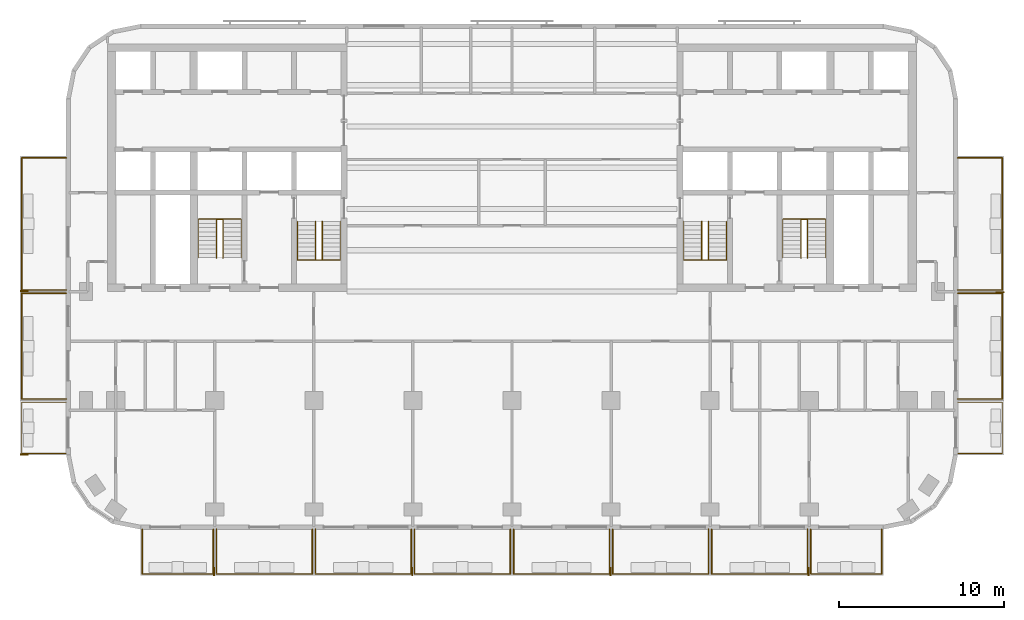
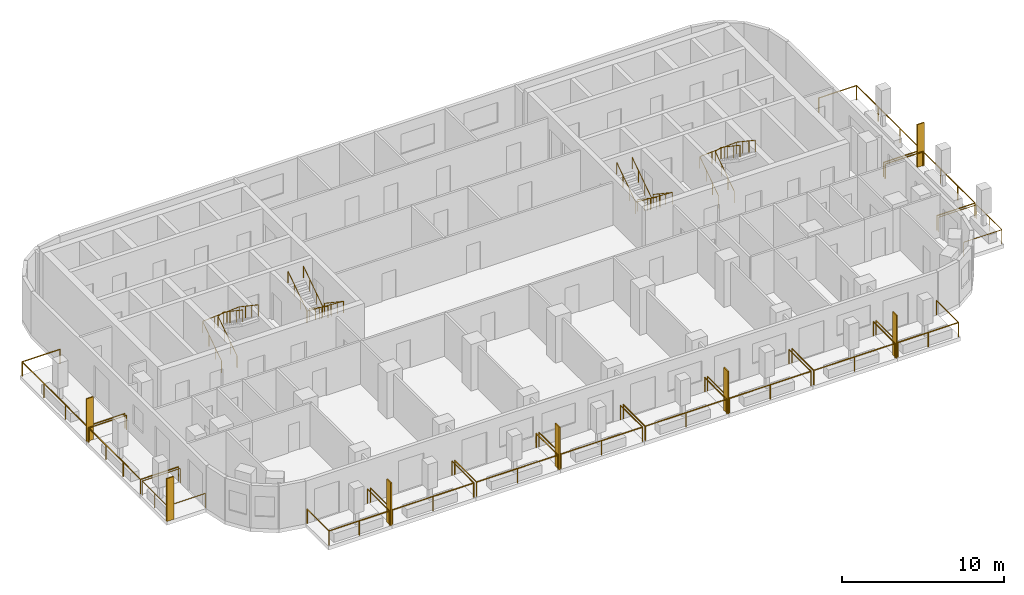
# One storey, part 9 of 11: 22 railings, 7 shading devices.
"""IFC4 building model written with IfcOpenShell, lengths in metres."""

from ifc_helpers import new_model, si_unit, direction, frame, origin, origin_2d, place, context, subcontext, project, spatial, rectangle, circle, extrude, material, layer, layer_set, type_object, element, save


model = new_model("IFC4")

# Units and contexts
model_context = context("Model", 3, precision=1e-05, world=origin(), true_north=direction((0.0, 1.0)))
body_context = subcontext(model_context, "Body", "Model", "MODEL_VIEW")
ifc_project = project(units=[si_unit("LENGTHUNIT", "METRE"), si_unit("AREAUNIT", "SQUARE_METRE"), si_unit("VOLUMEUNIT", "CUBIC_METRE"), si_unit("PLANEANGLEUNIT", "RADIAN"), si_unit("MASSUNIT", "GRAM", prefix="KILO")], contexts=[model_context])

# Site, building, storey
site_placement = place(None, origin())
site = spatial("IfcSite", under=ifc_project, at=site_placement, CompositionType="ELEMENT")
building_placement = place(site_placement, origin())
building = spatial("IfcBuilding", under=site, at=building_placement, Name="Torana Hotel and Residences", CompositionType="ELEMENT")
storey_placement = place(building_placement, frame((0.0, 0.0, 194.10009765625)))
storey = spatial("IfcBuildingStorey", under=building, at=storey_placement, Name="L50", CompositionType="ELEMENT", Elevation=194.10009765625)

# Shading devices
ifc_material_1 = material(Name="Black powder coated aluminium", Category="aluminium")
ifc_layer = layer(ifc_material_1, 0.080078125)
ifc_layer_set = layer_set([ifc_layer], Name="FN1 VERTICAL FIN 500x80")
shading_device_type = type_object("IfcShadingDeviceType", Name="FN1 VERTICAL FIN 500x80", PredefinedType="USERDEFINED", material=ifc_layer_set)
for number, where, z_axis, x_axis, name in (
    (1, (-18.0400390625, -31.949951171875, 0.0), (0.0, 0.0, 1.0), (-1.0, 0.0, 0.0), "Fin 01"),
    (2, (-6.0400390625, -31.949951171875, 0.0), (0.0, 0.0, 1.0), (-1.0, 0.0, 0.0), "Fin 03"),
    (3, (5.9599609375, -31.949951171875, 0.0), (0.0, 0.0, 1.0), (-1.0, 0.0, 0.0), "Fin 05"),
    (4, (17.9599609375, -31.949951171875, 0.0), (0.0, 0.0, 1.0), (-1.0, 0.0, 0.0), "Fin 07"),
    (5, (-29.550048828125, -24.860107421875, 0.0), (0.0, 0.0, 1.0), (0.0, 1.0, 0.0), "Fin 09"),
    (6, (-29.550048828125, -14.9599609375, 0.0), (0.0, 0.0, 1.0), (0.0, 1.0, 0.0), "Fin 11"),
    (7, (29.550048828125, -15.0400390625, 0.0), (0.0, 0.0, 1.0), (0.0, -1.0, 0.0), "Fin 13"),
):
    element("IfcShadingDevice", number, at=place(storey_placement, frame(where, z_axis=z_axis, x_axis=x_axis)), inside=storey, type_object=shading_device_type, Name=name, ObjectType="FIN", PredefinedType="USERDEFINED", context=body_context, shape_type="SweptSolid", body=[
        extrude(rectangle(XDim=0.080078125, YDim=0.5, at=origin_2d()), origin(), (0.0, 0.0, 1.0), 3.219970703125),
    ])

# Railings
ifc_material_2 = material(Name="Laminated glass balustrade with black handrail", Category="glass")
railing_type_1 = type_object("IfcRailingType", Name="GR1 BALCONY GUARD 1100 GLASS", PredefinedType="GUARDRAIL", material=ifc_material_2)
railing_1_placement = place(storey_placement, frame((-18.10009765625, -29.39990234375, 0.0)))
element("IfcRailing", 8, at=railing_1_placement, inside=storey, type_object=railing_type_1, Name="Balcony guard 01", PredefinedType="GUARDRAIL", context=body_context, shape_type="SweptSolid", body=[
    extrude(circle(Radius=0.02392578125, at=origin_2d()), frame((0.0, 0.0, 1.076171875), z_axis=(0.0, -1.0, 0.0), x_axis=(1.0, 0.0, 0.0)), (0.0, 0.0, 1.0), 2.7001953125),
    extrude(circle(Radius=0.02392578125, at=origin_2d()), frame((0.0, -2.7001953125, 1.076171875), z_axis=(-1.0, 0.0, 0.0), x_axis=(0.0, -1.0, 0.0)), (0.0, 0.0, 1.0), 4.2998046875),
    extrude(circle(Radius=0.02392578125, at=origin_2d()), frame((-4.2998046875, -2.7001953125, 1.076171875), z_axis=(0.0, 1.0, 0.0), x_axis=(-1.0, 0.0, 0.0)), (0.0, 0.0, 1.0), 2.7001953125),
    extrude(circle(Radius=0.02099609375, at=origin_2d()), origin(), (0.0, 0.0, 1.0), 1.052001953125),
    extrude(circle(Radius=0.02099609375, at=origin_2d()), frame((0.0, -2.7001953125, 0.0)), (0.0, 0.0, 1.0), 1.052001953125),
    extrude(circle(Radius=0.02099609375, at=origin_2d()), frame((-2.14990234375, -2.7001953125, 0.0)), (0.0, 0.0, 1.0), 1.052001953125),
    extrude(circle(Radius=0.02099609375, at=origin_2d()), frame((-4.2998046875, -2.7001953125, 0.0)), (0.0, 0.0, 1.0), 1.052001953125),
    extrude(circle(Radius=0.02099609375, at=origin_2d()), frame((-4.2998046875, 0.0, 0.0)), (0.0, 0.0, 1.0), 1.052001953125),
])
for number, where, name in (
    (9, (-12.10009765625, -29.39990234375, 0.0), "Balcony guard 02"),
    (10, (-6.10009765625, -29.39990234375, 0.0), "Balcony guard 03"),
    (11, (-0.10009765625, -29.39990234375, 0.0), "Balcony guard 04"),
    (12, (5.89990234375, -29.39990234375, 0.0), "Balcony guard 05"),
    (13, (11.89990234375, -29.39990234375, 0.0), "Balcony guard 06"),
    (14, (17.89990234375, -29.39990234375, 0.0), "Balcony guard 07"),
):
    element("IfcRailing", number, at=place(storey_placement, frame(where)), inside=storey, type_object=railing_type_1, Name=name, PredefinedType="GUARDRAIL", context=body_context, shape_type="SweptSolid", body=[
        extrude(circle(Radius=0.02392578125, at=origin_2d()), frame((0.0, 0.0, 1.076171875), z_axis=(0.0, -1.0, 0.0), x_axis=(1.0, 0.0, 0.0)), (0.0, 0.0, 1.0), 2.7001953125),
        extrude(circle(Radius=0.02392578125, at=origin_2d()), frame((0.0, -2.7001953125, 1.076171875), z_axis=(-1.0, 0.0, 0.0), x_axis=(0.0, -1.0, 0.0)), (0.0, 0.0, 1.0), 5.7998046875),
        extrude(circle(Radius=0.02392578125, at=origin_2d()), frame((-5.7998046875, -2.7001953125, 1.076171875), z_axis=(0.0, 1.0, 0.0), x_axis=(-1.0, 0.0, 0.0)), (0.0, 0.0, 1.0), 2.7001953125),
        extrude(circle(Radius=0.02099609375, at=origin_2d()), origin(), (0.0, 0.0, 1.0), 1.052001953125),
        extrude(circle(Radius=0.02099609375, at=origin_2d()), frame((0.0, -2.7001953125, 0.0)), (0.0, 0.0, 1.0), 1.052001953125),
        extrude(circle(Radius=0.02099609375, at=origin_2d()), frame((-2.89990234375, -2.7001953125, 0.0)), (0.0, 0.0, 1.0), 1.052001953125),
        extrude(circle(Radius=0.02099609375, at=origin_2d()), frame((-5.7998046875, -2.7001953125, 0.0)), (0.0, 0.0, 1.0), 1.052001953125),
        extrude(circle(Radius=0.02099609375, at=origin_2d()), frame((-5.7998046875, 0.0, 0.0)), (0.0, 0.0, 1.0), 1.052001953125),
    ])
railing_2_placement = place(storey_placement, frame((22.39990234375, -29.39990234375, 0.0)))
element("IfcRailing", 15, at=railing_2_placement, inside=storey, type_object=railing_type_1, Name="Balcony guard 08", PredefinedType="GUARDRAIL", context=body_context, shape_type="SweptSolid", body=[
    extrude(circle(Radius=0.02392578125, at=origin_2d()), frame((0.0, 0.0, 1.076171875), z_axis=(0.0, -1.0, 0.0), x_axis=(1.0, 0.0, 0.0)), (0.0, 0.0, 1.0), 2.7001953125),
    extrude(circle(Radius=0.02392578125, at=origin_2d()), frame((0.0, -2.7001953125, 1.076171875), z_axis=(-1.0, 0.0, 0.0), x_axis=(0.0, -1.0, 0.0)), (0.0, 0.0, 1.0), 4.2998046875),
    extrude(circle(Radius=0.02392578125, at=origin_2d()), frame((-4.2998046875, -2.7001953125, 1.076171875), z_axis=(0.0, 1.0, 0.0), x_axis=(-1.0, 0.0, 0.0)), (0.0, 0.0, 1.0), 2.7001953125),
    extrude(circle(Radius=0.02099609375, at=origin_2d()), origin(), (0.0, 0.0, 1.0), 1.052001953125),
    extrude(circle(Radius=0.02099609375, at=origin_2d()), frame((0.0, -2.7001953125, 0.0)), (0.0, 0.0, 1.0), 1.052001953125),
    extrude(circle(Radius=0.02099609375, at=origin_2d()), frame((-2.14990234375, -2.7001953125, 0.0)), (0.0, 0.0, 1.0), 1.052001953125),
    extrude(circle(Radius=0.02099609375, at=origin_2d()), frame((-4.2998046875, -2.7001953125, 0.0)), (0.0, 0.0, 1.0), 1.052001953125),
    extrude(circle(Radius=0.02099609375, at=origin_2d()), frame((-4.2998046875, 0.0, 0.0)), (0.0, 0.0, 1.0), 1.052001953125),
])
railing_3_placement = place(storey_placement, frame((-27.0, -24.800048828125, 0.0)))
element("IfcRailing", 16, at=railing_3_placement, inside=storey, type_object=railing_type_1, Name="Balcony guard 09", PredefinedType="GUARDRAIL", context=body_context, shape_type="SweptSolid", body=[
    extrude(circle(Radius=0.02392578125, at=origin_2d()), frame((0.0, 0.0, 1.076171875), z_axis=(-1.0, 0.0, 0.0), x_axis=(0.0, -1.0, 0.0)), (0.0, 0.0, 1.0), 2.699951171875),
    extrude(circle(Radius=0.02392578125, at=origin_2d()), frame((-2.699951171875, 0.0, 1.076171875), z_axis=(0.0, 1.0, 0.0), x_axis=(-1.0, 0.0, 0.0)), (0.0, 0.0, 1.0), 3.10009765625),
    extrude(circle(Radius=0.02392578125, at=origin_2d()), frame((-2.699951171875, 3.10009765625, 1.076171875), z_axis=(1.0, 0.0, 0.0), x_axis=(0.0, 1.0, 0.0)), (0.0, 0.0, 1.0), 2.699951171875),
    extrude(circle(Radius=0.02099609375, at=origin_2d()), origin(), (0.0, 0.0, 1.0), 1.052001953125),
    extrude(circle(Radius=0.02099609375, at=origin_2d()), frame((-2.699951171875, 0.0, 0.0)), (0.0, 0.0, 1.0), 1.052001953125),
    extrude(circle(Radius=0.02099609375, at=origin_2d()), frame((-2.699951171875, 1.550048828125, 0.0)), (0.0, 0.0, 1.0), 1.052001953125),
    extrude(circle(Radius=0.02099609375, at=origin_2d()), frame((-2.699951171875, 3.10009765625, 0.0)), (0.0, 0.0, 1.0), 1.052001953125),
    extrude(circle(Radius=0.02099609375, at=origin_2d()), frame((0.0, 3.10009765625, 0.0)), (0.0, 0.0, 1.0), 1.052001953125),
])
railing_4_placement = place(storey_placement, frame((-27.0, -21.5, 0.0)))
element("IfcRailing", 17, at=railing_4_placement, inside=storey, type_object=railing_type_1, Name="Balcony guard 10", PredefinedType="GUARDRAIL", context=body_context, shape_type="SweptSolid", body=[
    extrude(circle(Radius=0.02392578125, at=origin_2d()), frame((0.0, 0.0, 1.076171875), z_axis=(-1.0, 0.0, 0.0), x_axis=(0.0, -1.0, 0.0)), (0.0, 0.0, 1.0), 2.699951171875),
    extrude(circle(Radius=0.02392578125, at=origin_2d()), frame((-2.699951171875, 0.0, 1.076171875), z_axis=(0.0, 1.0, 0.0), x_axis=(-1.0, 0.0, 0.0)), (0.0, 0.0, 1.0), 6.39990234375),
    extrude(circle(Radius=0.02392578125, at=origin_2d()), frame((-2.699951171875, 6.39990234375, 1.076171875), z_axis=(1.0, 0.0, 0.0), x_axis=(0.0, 1.0, 0.0)), (0.0, 0.0, 1.0), 2.699951171875),
    extrude(circle(Radius=0.02099609375, at=origin_2d()), origin(), (0.0, 0.0, 1.0), 1.052001953125),
    extrude(circle(Radius=0.02099609375, at=origin_2d()), frame((-2.699951171875, 0.0, 0.0)), (0.0, 0.0, 1.0), 1.052001953125),
    extrude(circle(Radius=0.02099609375, at=origin_2d()), frame((-2.699951171875, 2.13330078125, 0.0)), (0.0, 0.0, 1.0), 1.052001953125),
    extrude(circle(Radius=0.02099609375, at=origin_2d()), frame((-2.699951171875, 4.2666015625, 0.0)), (0.0, 0.0, 1.0), 1.052001953125),
    extrude(circle(Radius=0.02099609375, at=origin_2d()), frame((-2.699951171875, 6.39990234375, 0.0)), (0.0, 0.0, 1.0), 1.052001953125),
    extrude(circle(Radius=0.02099609375, at=origin_2d()), frame((0.0, 6.39990234375, 0.0)), (0.0, 0.0, 1.0), 1.052001953125),
])
railing_5_placement = place(storey_placement, frame((-27.0, -14.89990234375, 0.0)))
element("IfcRailing", 18, at=railing_5_placement, inside=storey, type_object=railing_type_1, Name="Balcony guard 11", PredefinedType="GUARDRAIL", context=body_context, shape_type="SweptSolid", body=[
    extrude(circle(Radius=0.02392578125, at=origin_2d()), frame((0.0, 0.0, 1.076171875), z_axis=(-1.0, 0.0, 0.0), x_axis=(0.0, -1.0, 0.0)), (0.0, 0.0, 1.0), 2.699951171875),
    extrude(circle(Radius=0.02392578125, at=origin_2d()), frame((-2.699951171875, 0.0, 1.076171875), z_axis=(0.0, 1.0, 0.0), x_axis=(-1.0, 0.0, 0.0)), (0.0, 0.0, 1.0), 8.0),
    extrude(circle(Radius=0.02392578125, at=origin_2d()), frame((-2.699951171875, 8.0, 1.076171875), z_axis=(1.0, 0.0, 0.0), x_axis=(0.0, 1.0, 0.0)), (0.0, 0.0, 1.0), 2.699951171875),
    extrude(circle(Radius=0.02099609375, at=origin_2d()), origin(), (0.0, 0.0, 1.0), 1.052001953125),
    extrude(circle(Radius=0.02099609375, at=origin_2d()), frame((-2.699951171875, 0.0, 0.0)), (0.0, 0.0, 1.0), 1.052001953125),
    extrude(circle(Radius=0.02099609375, at=origin_2d()), frame((-2.699951171875, 2.666748046875, 0.0)), (0.0, 0.0, 1.0), 1.052001953125),
    extrude(circle(Radius=0.02099609375, at=origin_2d()), frame((-2.699951171875, 5.333251953125, 0.0)), (0.0, 0.0, 1.0), 1.052001953125),
    extrude(circle(Radius=0.02099609375, at=origin_2d()), frame((-2.699951171875, 8.0, 0.0)), (0.0, 0.0, 1.0), 1.052001953125),
    extrude(circle(Radius=0.02099609375, at=origin_2d()), frame((0.0, 8.0, 0.0)), (0.0, 0.0, 1.0), 1.052001953125),
])
railing_6_placement = place(storey_placement, frame((27.0, -21.699951171875, 0.0)))
element("IfcRailing", 19, at=railing_6_placement, inside=storey, type_object=railing_type_1, Name="Balcony guard 12", PredefinedType="GUARDRAIL", context=body_context, shape_type="SweptSolid", body=[
    extrude(circle(Radius=0.02392578125, at=origin_2d()), frame((0.0, 0.0, 1.076171875), z_axis=(1.0, 0.0, 0.0), x_axis=(0.0, 1.0, 0.0)), (0.0, 0.0, 1.0), 2.699951171875),
    extrude(circle(Radius=0.02392578125, at=origin_2d()), frame((2.699951171875, 0.0, 1.076171875), z_axis=(0.0, -1.0, 0.0), x_axis=(1.0, 0.0, 0.0)), (0.0, 0.0, 1.0), 3.10009765625),
    extrude(circle(Radius=0.02392578125, at=origin_2d()), frame((2.699951171875, -3.10009765625, 1.076171875), z_axis=(-1.0, 0.0, 0.0), x_axis=(0.0, -1.0, 0.0)), (0.0, 0.0, 1.0), 2.699951171875),
    extrude(circle(Radius=0.02099609375, at=origin_2d()), origin(), (0.0, 0.0, 1.0), 1.052001953125),
    extrude(circle(Radius=0.02099609375, at=origin_2d()), frame((2.699951171875, 0.0, 0.0)), (0.0, 0.0, 1.0), 1.052001953125),
    extrude(circle(Radius=0.02099609375, at=origin_2d()), frame((2.699951171875, -1.550048828125, 0.0)), (0.0, 0.0, 1.0), 1.052001953125),
    extrude(circle(Radius=0.02099609375, at=origin_2d()), frame((2.699951171875, -3.10009765625, 0.0)), (0.0, 0.0, 1.0), 1.052001953125),
    extrude(circle(Radius=0.02099609375, at=origin_2d()), frame((0.0, -3.10009765625, 0.0)), (0.0, 0.0, 1.0), 1.052001953125),
])
railing_7_placement = place(storey_placement, frame((27.0, -15.10009765625, 0.0)))
element("IfcRailing", 20, at=railing_7_placement, inside=storey, type_object=railing_type_1, Name="Balcony guard 13", PredefinedType="GUARDRAIL", context=body_context, shape_type="SweptSolid", body=[
    extrude(circle(Radius=0.02392578125, at=origin_2d()), frame((0.0, 0.0, 1.076171875), z_axis=(1.0, 0.0, 0.0), x_axis=(0.0, 1.0, 0.0)), (0.0, 0.0, 1.0), 2.699951171875),
    extrude(circle(Radius=0.02392578125, at=origin_2d()), frame((2.699951171875, 0.0, 1.076171875), z_axis=(0.0, -1.0, 0.0), x_axis=(1.0, 0.0, 0.0)), (0.0, 0.0, 1.0), 6.39990234375),
    extrude(circle(Radius=0.02392578125, at=origin_2d()), frame((2.699951171875, -6.39990234375, 1.076171875), z_axis=(-1.0, 0.0, 0.0), x_axis=(0.0, -1.0, 0.0)), (0.0, 0.0, 1.0), 2.699951171875),
    extrude(circle(Radius=0.02099609375, at=origin_2d()), origin(), (0.0, 0.0, 1.0), 1.052001953125),
    extrude(circle(Radius=0.02099609375, at=origin_2d()), frame((2.699951171875, 0.0, 0.0)), (0.0, 0.0, 1.0), 1.052001953125),
    extrude(circle(Radius=0.02099609375, at=origin_2d()), frame((2.699951171875, -2.13330078125, 0.0)), (0.0, 0.0, 1.0), 1.052001953125),
    extrude(circle(Radius=0.02099609375, at=origin_2d()), frame((2.699951171875, -4.2666015625, 0.0)), (0.0, 0.0, 1.0), 1.052001953125),
    extrude(circle(Radius=0.02099609375, at=origin_2d()), frame((2.699951171875, -6.39990234375, 0.0)), (0.0, 0.0, 1.0), 1.052001953125),
    extrude(circle(Radius=0.02099609375, at=origin_2d()), frame((0.0, -6.39990234375, 0.0)), (0.0, 0.0, 1.0), 1.052001953125),
])
railing_8_placement = place(storey_placement, frame((27.0, -6.89990234375, 0.0)))
element("IfcRailing", 21, at=railing_8_placement, inside=storey, type_object=railing_type_1, Name="Balcony guard 14", PredefinedType="GUARDRAIL", context=body_context, shape_type="SweptSolid", body=[
    extrude(circle(Radius=0.02392578125, at=origin_2d()), frame((0.0, 0.0, 1.076171875), z_axis=(1.0, 0.0, 0.0), x_axis=(0.0, 1.0, 0.0)), (0.0, 0.0, 1.0), 2.699951171875),
    extrude(circle(Radius=0.02392578125, at=origin_2d()), frame((2.699951171875, 0.0, 1.076171875), z_axis=(0.0, -1.0, 0.0), x_axis=(1.0, 0.0, 0.0)), (0.0, 0.0, 1.0), 8.0),
    extrude(circle(Radius=0.02392578125, at=origin_2d()), frame((2.699951171875, -8.0, 1.076171875), z_axis=(-1.0, 0.0, 0.0), x_axis=(0.0, -1.0, 0.0)), (0.0, 0.0, 1.0), 2.699951171875),
    extrude(circle(Radius=0.02099609375, at=origin_2d()), origin(), (0.0, 0.0, 1.0), 1.052001953125),
    extrude(circle(Radius=0.02099609375, at=origin_2d()), frame((2.699951171875, 0.0, 0.0)), (0.0, 0.0, 1.0), 1.052001953125),
    extrude(circle(Radius=0.02099609375, at=origin_2d()), frame((2.699951171875, -2.666748046875, 0.0)), (0.0, 0.0, 1.0), 1.052001953125),
    extrude(circle(Radius=0.02099609375, at=origin_2d()), frame((2.699951171875, -5.333251953125, 0.0)), (0.0, 0.0, 1.0), 1.052001953125),
    extrude(circle(Radius=0.02099609375, at=origin_2d()), frame((2.699951171875, -8.0, 0.0)), (0.0, 0.0, 1.0), 1.052001953125),
    extrude(circle(Radius=0.02099609375, at=origin_2d()), frame((0.0, -8.0, 0.0)), (0.0, 0.0, 1.0), 1.052001953125),
])
ifc_material_3 = material(Name="Stainless steel 316", Category="steel")
railing_type_2 = type_object("IfcRailingType", Name="STAIR HANDRAIL HR1 900", PredefinedType="HANDRAIL", material=ifc_material_3)
railing_9_placement = place(storey_placement, frame((-10.39990234375, -10.75, 0.1748046875)))
element("IfcRailing", 22, at=railing_9_placement, inside=storey, type_object=railing_type_2, Name="Handrail ST1 L50 O1", PredefinedType="HANDRAIL", context=body_context, shape_type="SweptSolid", body=[
    extrude(circle(Radius=0.02392578125, at=origin_2d()), frame((0.0, 0.0, 0.8759765625), z_axis=(0.0, -0.829565388462, 0.558409586474), x_axis=(1.0, 0.0, 0.0)), (0.0, 0.0, 1.0), 2.82080078125),
    extrude(circle(Radius=0.02392578125, at=origin_2d()), frame((0.0, -2.340087890625, 2.451171875), z_axis=(-0.997747692642, 0.0, 0.067078624219), x_axis=(0.0, -1.0, 0.0)), (0.0, 0.0, 1.0), 2.60595703125),
    extrude(circle(Radius=0.02392578125, at=origin_2d()), frame((-2.60009765625, -2.340087890625, 2.6259765625), z_axis=(0.0, 0.829565388462, 0.558409586474), x_axis=(-1.0, 0.0, 0.0)), (0.0, 0.0, 1.0), 2.82080078125),
    extrude(circle(Radius=0.02099609375, at=origin_2d()), origin(), (0.0, 0.0, 1.0), 0.851806640625),
    extrude(circle(Radius=0.02099609375, at=origin_2d()), frame((0.0, -0.780029296875, 0.525146484375)), (0.0, 0.0, 1.0), 0.851806640625),
    extrude(circle(Radius=0.02099609375, at=origin_2d()), frame((0.0, -1.56005859375, 1.050048828125)), (0.0, 0.0, 1.0), 0.851806640625),
    extrude(circle(Radius=0.02099609375, at=origin_2d()), frame((0.0, -2.340087890625, 1.5751953125)), (0.0, 0.0, 1.0), 0.851806640625),
    extrude(circle(Radius=0.02099609375, at=origin_2d()), frame((-0.86669921875, -2.340087890625, 1.633544921875)), (0.0, 0.0, 1.0), 0.851806640625),
    extrude(circle(Radius=0.02099609375, at=origin_2d()), frame((-1.7333984375, -2.340087890625, 1.691650390625)), (0.0, 0.0, 1.0), 0.851806640625),
    extrude(circle(Radius=0.02099609375, at=origin_2d()), frame((-2.60009765625, -2.340087890625, 1.75)), (0.0, 0.0, 1.0), 0.851806640625),
    extrude(circle(Radius=0.02099609375, at=origin_2d()), frame((-2.60009765625, -1.56005859375, 2.275146484375)), (0.0, 0.0, 1.0), 0.851806640625),
    extrude(circle(Radius=0.02099609375, at=origin_2d()), frame((-2.60009765625, -0.780029296875, 2.800048828125)), (0.0, 0.0, 1.0), 0.851806640625),
    extrude(circle(Radius=0.02099609375, at=origin_2d()), frame((-2.60009765625, 0.0, 3.3251953125)), (0.0, 0.0, 1.0), 0.851806640625),
])
railing_10_placement = place(storey_placement, frame((-11.5, -10.75, 0.1748046875)))
element("IfcRailing", 23, at=railing_10_placement, inside=storey, type_object=railing_type_2, Name="Handrail ST1 L50 I1", PredefinedType="HANDRAIL", context=body_context, shape_type="SweptSolid", body=[
    extrude(circle(Radius=0.02392578125, at=origin_2d()), frame((0.0, 0.0, 0.8759765625), z_axis=(0.0, -0.829565388462, 0.558409586474), x_axis=(1.0, 0.0, 0.0)), (0.0, 0.0, 1.0), 2.82080078125),
    extrude(circle(Radius=0.02392578125, at=origin_2d()), frame((0.0, -2.340087890625, 2.451171875), z_axis=(-0.916285673175, 0.0, 0.400525361412), x_axis=(0.0, -1.0, 0.0)), (0.0, 0.0, 1.0), 0.4365234375),
    extrude(circle(Radius=0.02392578125, at=origin_2d()), frame((-0.39990234375, -2.340087890625, 2.6259765625), z_axis=(0.0, 0.829565388462, 0.558409586474), x_axis=(-1.0, 0.0, 0.0)), (0.0, 0.0, 1.0), 2.82080078125),
    extrude(circle(Radius=0.02099609375, at=origin_2d()), origin(), (0.0, 0.0, 1.0), 0.851806640625),
    extrude(circle(Radius=0.02099609375, at=origin_2d()), frame((0.0, -0.780029296875, 0.525146484375)), (0.0, 0.0, 1.0), 0.851806640625),
    extrude(circle(Radius=0.02099609375, at=origin_2d()), frame((0.0, -1.56005859375, 1.050048828125)), (0.0, 0.0, 1.0), 0.851806640625),
    extrude(circle(Radius=0.02099609375, at=origin_2d()), frame((0.0, -2.340087890625, 1.5751953125)), (0.0, 0.0, 1.0), 0.851806640625),
    extrude(circle(Radius=0.02099609375, at=origin_2d()), frame((-0.39990234375, -2.340087890625, 1.75)), (0.0, 0.0, 1.0), 0.851806640625),
    extrude(circle(Radius=0.02099609375, at=origin_2d()), frame((-0.39990234375, -1.56005859375, 2.275146484375)), (0.0, 0.0, 1.0), 0.851806640625),
    extrude(circle(Radius=0.02099609375, at=origin_2d()), frame((-0.39990234375, -0.780029296875, 2.800048828125)), (0.0, 0.0, 1.0), 0.851806640625),
    extrude(circle(Radius=0.02099609375, at=origin_2d()), frame((-0.39990234375, 0.0, 3.3251953125)), (0.0, 0.0, 1.0), 0.851806640625),
])
railing_11_placement = place(storey_placement, frame((-19.0, -12.949951171875, 0.1748046875)))
element("IfcRailing", 24, at=railing_11_placement, inside=storey, type_object=railing_type_2, Name="Handrail ST2 L50 O1", PredefinedType="HANDRAIL", context=body_context, shape_type="SweptSolid", body=[
    extrude(circle(Radius=0.02392578125, at=origin_2d()), frame((0.0, 0.0, 0.8759765625), z_axis=(0.0, 0.829538397957, 0.558449681095), x_axis=(-1.0, 0.0, 0.0)), (0.0, 0.0, 1.0), 2.820556640625),
    extrude(circle(Radius=0.02392578125, at=origin_2d()), frame((0.0, 2.33984375, 2.451171875), z_axis=(0.997747692642, 0.0, 0.067078624219), x_axis=(0.0, 1.0, 0.0)), (0.0, 0.0, 1.0), 2.60595703125),
    extrude(circle(Radius=0.02392578125, at=origin_2d()), frame((2.60009765625, 2.33984375, 2.6259765625), z_axis=(0.0, -0.829538397957, 0.558449681095), x_axis=(1.0, 0.0, 0.0)), (0.0, 0.0, 1.0), 2.820556640625),
    extrude(circle(Radius=0.02099609375, at=origin_2d()), origin(), (0.0, 0.0, 1.0), 0.851806640625),
    extrude(circle(Radius=0.02099609375, at=origin_2d()), frame((0.0, 0.780029296875, 0.525146484375)), (0.0, 0.0, 1.0), 0.851806640625),
    extrude(circle(Radius=0.02099609375, at=origin_2d()), frame((0.0, 1.559814453125, 1.050048828125)), (0.0, 0.0, 1.0), 0.851806640625),
    extrude(circle(Radius=0.02099609375, at=origin_2d()), frame((0.0, 2.33984375, 1.5751953125)), (0.0, 0.0, 1.0), 0.851806640625),
    extrude(circle(Radius=0.02099609375, at=origin_2d()), frame((0.86669921875, 2.33984375, 1.633544921875)), (0.0, 0.0, 1.0), 0.851806640625),
    extrude(circle(Radius=0.02099609375, at=origin_2d()), frame((1.7333984375, 2.33984375, 1.691650390625)), (0.0, 0.0, 1.0), 0.851806640625),
    extrude(circle(Radius=0.02099609375, at=origin_2d()), frame((2.60009765625, 2.33984375, 1.75)), (0.0, 0.0, 1.0), 0.851806640625),
    extrude(circle(Radius=0.02099609375, at=origin_2d()), frame((2.60009765625, 1.559814453125, 2.275146484375)), (0.0, 0.0, 1.0), 0.851806640625),
    extrude(circle(Radius=0.02099609375, at=origin_2d()), frame((2.60009765625, 0.780029296875, 2.800048828125)), (0.0, 0.0, 1.0), 0.851806640625),
    extrude(circle(Radius=0.02099609375, at=origin_2d()), frame((2.60009765625, 0.0, 3.3251953125)), (0.0, 0.0, 1.0), 0.851806640625),
])
railing_12_placement = place(storey_placement, frame((-17.89990234375, -12.949951171875, 0.1748046875)))
element("IfcRailing", 25, at=railing_12_placement, inside=storey, type_object=railing_type_2, Name="Handrail ST2 L50 I1", PredefinedType="HANDRAIL", context=body_context, shape_type="SweptSolid", body=[
    extrude(circle(Radius=0.02392578125, at=origin_2d()), frame((0.0, 0.0, 0.8759765625), z_axis=(0.0, 0.829538397957, 0.558449681095), x_axis=(-1.0, 0.0, 0.0)), (0.0, 0.0, 1.0), 2.820556640625),
    extrude(circle(Radius=0.02392578125, at=origin_2d()), frame((0.0, 2.33984375, 2.451171875), z_axis=(0.916285673175, 0.0, 0.400525361412), x_axis=(0.0, 1.0, 0.0)), (0.0, 0.0, 1.0), 0.4365234375),
    extrude(circle(Radius=0.02392578125, at=origin_2d()), frame((0.39990234375, 2.33984375, 2.6259765625), z_axis=(0.0, -0.829538397957, 0.558449681095), x_axis=(1.0, 0.0, 0.0)), (0.0, 0.0, 1.0), 2.820556640625),
    extrude(circle(Radius=0.02099609375, at=origin_2d()), origin(), (0.0, 0.0, 1.0), 0.851806640625),
    extrude(circle(Radius=0.02099609375, at=origin_2d()), frame((0.0, 0.780029296875, 0.525146484375)), (0.0, 0.0, 1.0), 0.851806640625),
    extrude(circle(Radius=0.02099609375, at=origin_2d()), frame((0.0, 1.559814453125, 1.050048828125)), (0.0, 0.0, 1.0), 0.851806640625),
    extrude(circle(Radius=0.02099609375, at=origin_2d()), frame((0.0, 2.33984375, 1.5751953125)), (0.0, 0.0, 1.0), 0.851806640625),
    extrude(circle(Radius=0.02099609375, at=origin_2d()), frame((0.39990234375, 2.33984375, 1.75)), (0.0, 0.0, 1.0), 0.851806640625),
    extrude(circle(Radius=0.02099609375, at=origin_2d()), frame((0.39990234375, 1.559814453125, 2.275146484375)), (0.0, 0.0, 1.0), 0.851806640625),
    extrude(circle(Radius=0.02099609375, at=origin_2d()), frame((0.39990234375, 0.780029296875, 2.800048828125)), (0.0, 0.0, 1.0), 0.851806640625),
    extrude(circle(Radius=0.02099609375, at=origin_2d()), frame((0.39990234375, 0.0, 3.3251953125)), (0.0, 0.0, 1.0), 0.851806640625),
])
railing_13_placement = place(storey_placement, frame((13.0, -10.75, 0.1748046875)))
element("IfcRailing", 26, at=railing_13_placement, inside=storey, type_object=railing_type_2, Name="Handrail ST3 L50 O1", PredefinedType="HANDRAIL", context=body_context, shape_type="SweptSolid", body=[
    extrude(circle(Radius=0.02392578125, at=origin_2d()), frame((0.0, 0.0, 0.8759765625), z_axis=(0.0, -0.829565388462, 0.558409586474), x_axis=(1.0, 0.0, 0.0)), (0.0, 0.0, 1.0), 2.82080078125),
    extrude(circle(Radius=0.02392578125, at=origin_2d()), frame((0.0, -2.340087890625, 2.451171875), z_axis=(-0.997747692642, 0.0, 0.067078624219), x_axis=(0.0, -1.0, 0.0)), (0.0, 0.0, 1.0), 2.60595703125),
    extrude(circle(Radius=0.02392578125, at=origin_2d()), frame((-2.60009765625, -2.340087890625, 2.6259765625), z_axis=(0.0, 0.829565388462, 0.558409586474), x_axis=(-1.0, 0.0, 0.0)), (0.0, 0.0, 1.0), 2.82080078125),
    extrude(circle(Radius=0.02099609375, at=origin_2d()), origin(), (0.0, 0.0, 1.0), 0.851806640625),
    extrude(circle(Radius=0.02099609375, at=origin_2d()), frame((0.0, -0.780029296875, 0.525146484375)), (0.0, 0.0, 1.0), 0.851806640625),
    extrude(circle(Radius=0.02099609375, at=origin_2d()), frame((0.0, -1.56005859375, 1.050048828125)), (0.0, 0.0, 1.0), 0.851806640625),
    extrude(circle(Radius=0.02099609375, at=origin_2d()), frame((0.0, -2.340087890625, 1.5751953125)), (0.0, 0.0, 1.0), 0.851806640625),
    extrude(circle(Radius=0.02099609375, at=origin_2d()), frame((-0.86669921875, -2.340087890625, 1.633544921875)), (0.0, 0.0, 1.0), 0.851806640625),
    extrude(circle(Radius=0.02099609375, at=origin_2d()), frame((-1.7333984375, -2.340087890625, 1.691650390625)), (0.0, 0.0, 1.0), 0.851806640625),
    extrude(circle(Radius=0.02099609375, at=origin_2d()), frame((-2.60009765625, -2.340087890625, 1.75)), (0.0, 0.0, 1.0), 0.851806640625),
    extrude(circle(Radius=0.02099609375, at=origin_2d()), frame((-2.60009765625, -1.56005859375, 2.275146484375)), (0.0, 0.0, 1.0), 0.851806640625),
    extrude(circle(Radius=0.02099609375, at=origin_2d()), frame((-2.60009765625, -0.780029296875, 2.800048828125)), (0.0, 0.0, 1.0), 0.851806640625),
    extrude(circle(Radius=0.02099609375, at=origin_2d()), frame((-2.60009765625, 0.0, 3.3251953125)), (0.0, 0.0, 1.0), 0.851806640625),
])
railing_14_placement = place(storey_placement, frame((11.89990234375, -10.75, 0.1748046875)))
element("IfcRailing", 27, at=railing_14_placement, inside=storey, type_object=railing_type_2, Name="Handrail ST3 L50 I1", PredefinedType="HANDRAIL", context=body_context, shape_type="SweptSolid", body=[
    extrude(circle(Radius=0.02392578125, at=origin_2d()), frame((0.0, 0.0, 0.8759765625), z_axis=(0.0, -0.829565388462, 0.558409586474), x_axis=(1.0, 0.0, 0.0)), (0.0, 0.0, 1.0), 2.82080078125),
    extrude(circle(Radius=0.02392578125, at=origin_2d()), frame((0.0, -2.340087890625, 2.451171875), z_axis=(-0.916285673175, 0.0, 0.400525361412), x_axis=(0.0, -1.0, 0.0)), (0.0, 0.0, 1.0), 0.4365234375),
    extrude(circle(Radius=0.02392578125, at=origin_2d()), frame((-0.39990234375, -2.340087890625, 2.6259765625), z_axis=(0.0, 0.829565388462, 0.558409586474), x_axis=(-1.0, 0.0, 0.0)), (0.0, 0.0, 1.0), 2.82080078125),
    extrude(circle(Radius=0.02099609375, at=origin_2d()), origin(), (0.0, 0.0, 1.0), 0.851806640625),
    extrude(circle(Radius=0.02099609375, at=origin_2d()), frame((0.0, -0.780029296875, 0.525146484375)), (0.0, 0.0, 1.0), 0.851806640625),
    extrude(circle(Radius=0.02099609375, at=origin_2d()), frame((0.0, -1.56005859375, 1.050048828125)), (0.0, 0.0, 1.0), 0.851806640625),
    extrude(circle(Radius=0.02099609375, at=origin_2d()), frame((0.0, -2.340087890625, 1.5751953125)), (0.0, 0.0, 1.0), 0.851806640625),
    extrude(circle(Radius=0.02099609375, at=origin_2d()), frame((-0.39990234375, -2.340087890625, 1.75)), (0.0, 0.0, 1.0), 0.851806640625),
    extrude(circle(Radius=0.02099609375, at=origin_2d()), frame((-0.39990234375, -1.56005859375, 2.275146484375)), (0.0, 0.0, 1.0), 0.851806640625),
    extrude(circle(Radius=0.02099609375, at=origin_2d()), frame((-0.39990234375, -0.780029296875, 2.800048828125)), (0.0, 0.0, 1.0), 0.851806640625),
    extrude(circle(Radius=0.02099609375, at=origin_2d()), frame((-0.39990234375, 0.0, 3.3251953125)), (0.0, 0.0, 1.0), 0.851806640625),
])
railing_15_placement = place(storey_placement, frame((16.39990234375, -12.949951171875, 0.1748046875)))
element("IfcRailing", 28, at=railing_15_placement, inside=storey, type_object=railing_type_2, Name="Handrail ST4 L50 O1", PredefinedType="HANDRAIL", context=body_context, shape_type="SweptSolid", body=[
    extrude(circle(Radius=0.02392578125, at=origin_2d()), frame((0.0, 0.0, 0.8759765625), z_axis=(0.0, 0.829538397957, 0.558449681095), x_axis=(-1.0, 0.0, 0.0)), (0.0, 0.0, 1.0), 2.820556640625),
    extrude(circle(Radius=0.02392578125, at=origin_2d()), frame((0.0, 2.33984375, 2.451171875), z_axis=(0.997747692642, 0.0, 0.067078624219), x_axis=(0.0, 1.0, 0.0)), (0.0, 0.0, 1.0), 2.60595703125),
    extrude(circle(Radius=0.02392578125, at=origin_2d()), frame((2.60009765625, 2.33984375, 2.6259765625), z_axis=(0.0, -0.829538397957, 0.558449681095), x_axis=(1.0, 0.0, 0.0)), (0.0, 0.0, 1.0), 2.820556640625),
    extrude(circle(Radius=0.02099609375, at=origin_2d()), origin(), (0.0, 0.0, 1.0), 0.851806640625),
    extrude(circle(Radius=0.02099609375, at=origin_2d()), frame((0.0, 0.780029296875, 0.525146484375)), (0.0, 0.0, 1.0), 0.851806640625),
    extrude(circle(Radius=0.02099609375, at=origin_2d()), frame((0.0, 1.559814453125, 1.050048828125)), (0.0, 0.0, 1.0), 0.851806640625),
    extrude(circle(Radius=0.02099609375, at=origin_2d()), frame((0.0, 2.33984375, 1.5751953125)), (0.0, 0.0, 1.0), 0.851806640625),
    extrude(circle(Radius=0.02099609375, at=origin_2d()), frame((0.86669921875, 2.33984375, 1.633544921875)), (0.0, 0.0, 1.0), 0.851806640625),
    extrude(circle(Radius=0.02099609375, at=origin_2d()), frame((1.7333984375, 2.33984375, 1.691650390625)), (0.0, 0.0, 1.0), 0.851806640625),
    extrude(circle(Radius=0.02099609375, at=origin_2d()), frame((2.60009765625, 2.33984375, 1.75)), (0.0, 0.0, 1.0), 0.851806640625),
    extrude(circle(Radius=0.02099609375, at=origin_2d()), frame((2.60009765625, 1.559814453125, 2.275146484375)), (0.0, 0.0, 1.0), 0.851806640625),
    extrude(circle(Radius=0.02099609375, at=origin_2d()), frame((2.60009765625, 0.780029296875, 2.800048828125)), (0.0, 0.0, 1.0), 0.851806640625),
    extrude(circle(Radius=0.02099609375, at=origin_2d()), frame((2.60009765625, 0.0, 3.3251953125)), (0.0, 0.0, 1.0), 0.851806640625),
])
railing_16_placement = place(storey_placement, frame((17.5, -12.949951171875, 0.1748046875)))
element("IfcRailing", 29, at=railing_16_placement, inside=storey, type_object=railing_type_2, Name="Handrail ST4 L50 I1", PredefinedType="HANDRAIL", context=body_context, shape_type="SweptSolid", body=[
    extrude(circle(Radius=0.02392578125, at=origin_2d()), frame((0.0, 0.0, 0.8759765625), z_axis=(0.0, 0.829538397957, 0.558449681095), x_axis=(-1.0, 0.0, 0.0)), (0.0, 0.0, 1.0), 2.820556640625),
    extrude(circle(Radius=0.02392578125, at=origin_2d()), frame((0.0, 2.33984375, 2.451171875), z_axis=(0.916285673175, 0.0, 0.400525361412), x_axis=(0.0, 1.0, 0.0)), (0.0, 0.0, 1.0), 0.4365234375),
    extrude(circle(Radius=0.02392578125, at=origin_2d()), frame((0.39990234375, 2.33984375, 2.6259765625), z_axis=(0.0, -0.829538397957, 0.558449681095), x_axis=(1.0, 0.0, 0.0)), (0.0, 0.0, 1.0), 2.820556640625),
    extrude(circle(Radius=0.02099609375, at=origin_2d()), origin(), (0.0, 0.0, 1.0), 0.851806640625),
    extrude(circle(Radius=0.02099609375, at=origin_2d()), frame((0.0, 0.780029296875, 0.525146484375)), (0.0, 0.0, 1.0), 0.851806640625),
    extrude(circle(Radius=0.02099609375, at=origin_2d()), frame((0.0, 1.559814453125, 1.050048828125)), (0.0, 0.0, 1.0), 0.851806640625),
    extrude(circle(Radius=0.02099609375, at=origin_2d()), frame((0.0, 2.33984375, 1.5751953125)), (0.0, 0.0, 1.0), 0.851806640625),
    extrude(circle(Radius=0.02099609375, at=origin_2d()), frame((0.39990234375, 2.33984375, 1.75)), (0.0, 0.0, 1.0), 0.851806640625),
    extrude(circle(Radius=0.02099609375, at=origin_2d()), frame((0.39990234375, 1.559814453125, 2.275146484375)), (0.0, 0.0, 1.0), 0.851806640625),
    extrude(circle(Radius=0.02099609375, at=origin_2d()), frame((0.39990234375, 0.780029296875, 2.800048828125)), (0.0, 0.0, 1.0), 0.851806640625),
    extrude(circle(Radius=0.02099609375, at=origin_2d()), frame((0.39990234375, 0.0, 3.3251953125)), (0.0, 0.0, 1.0), 0.851806640625),
])

save(model, "model.ifc")
